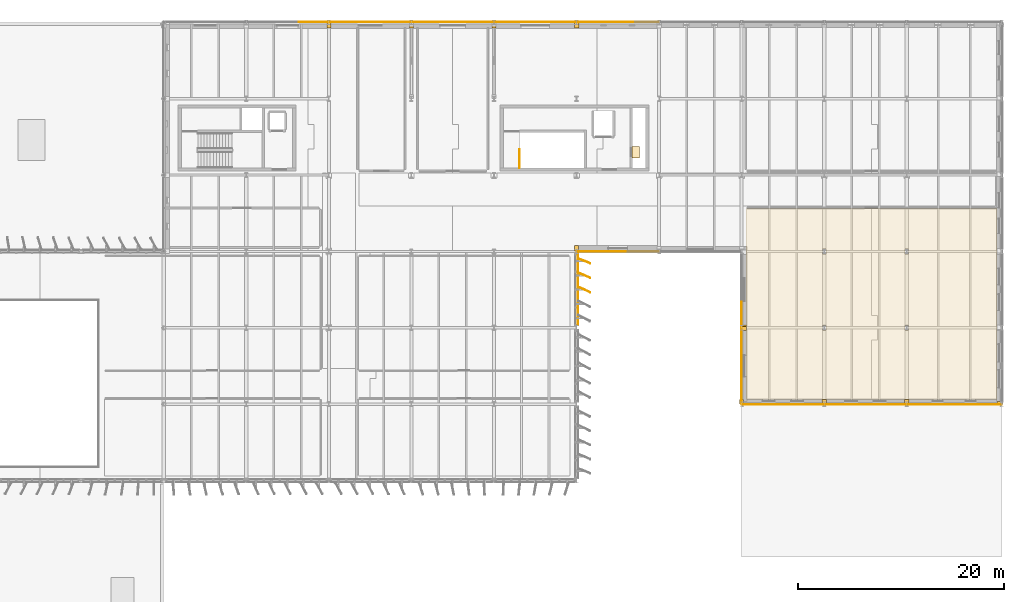
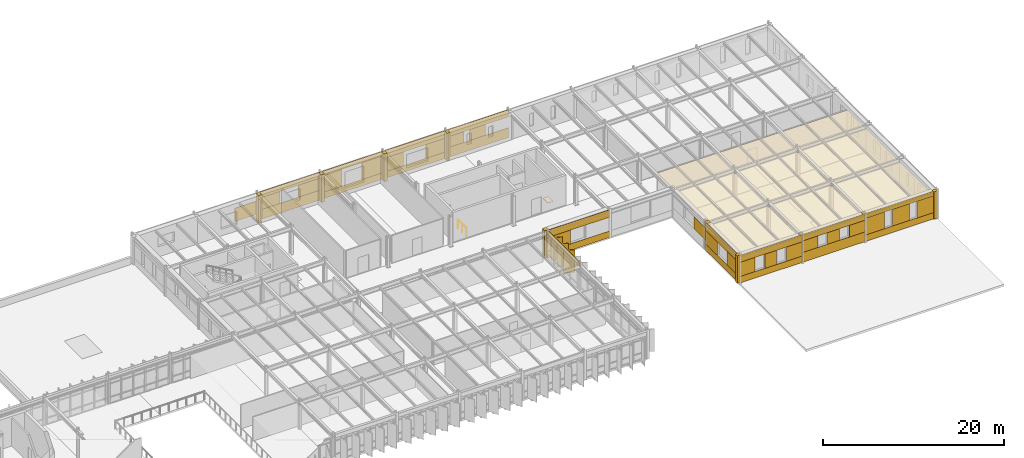
# One storey, part 53 of 56: 57 coverings, 1 railing.
"""IFC4 building model written with IfcOpenShell, lengths in metres."""

from ifc_helpers import new_model, si_unit, direction, frame, frame_2d, origin, origin_2d, place, context, subcontext, project, spatial, polyline, rectangle, circle, outline, extrude, material, layer, layer_set, type_object, element, save


model = new_model("IFC4")

# Units and contexts
model_context = context("Model", 3, precision=1e-05, world=origin(), true_north=direction((0.0, 1.0)))
body_context = subcontext(model_context, "Body", "Model", "MODEL_VIEW")
ifc_project = project(units=[si_unit("LENGTHUNIT", "METRE"), si_unit("AREAUNIT", "SQUARE_METRE"), si_unit("VOLUMEUNIT", "CUBIC_METRE"), si_unit("PLANEANGLEUNIT", "RADIAN"), si_unit("MASSUNIT", "GRAM", prefix="KILO")], contexts=[model_context])

# Site, building, storey
site_placement = place(None, origin())
site = spatial("IfcSite", under=ifc_project, at=site_placement, CompositionType="ELEMENT")
building_placement = place(site_placement, origin())
building = spatial("IfcBuilding", under=site, at=building_placement, Name="Valkorina Park Police Headquarters", CompositionType="ELEMENT")
storey_placement = place(building_placement, frame((0.0, 0.0, 14.10009765625)))
storey = spatial("IfcBuildingStorey", under=building, at=storey_placement, Name="L04", CompositionType="ELEMENT", Elevation=14.10009765625)

# Coverings
ifc_material_1 = material(Name="Acoustic mineral board")
ifc_layer_1 = layer(ifc_material_1, 0.02490234375)
ifc_layer_set_1 = layer_set([ifc_layer_1], Name="Acoustic mineral board")
covering_type_1 = type_object("IfcCoveringType", Name="COV-CEILING-ACOUST", PredefinedType="CEILING", material=ifc_layer_set_1)
covering_1_placement = place(storey_placement, frame((0.0, 0.0, 3.14501953125)))
element("IfcCovering", 1, at=covering_1_placement, inside=storey, type_object=covering_type_1, Name="Mass Spectrometry and GC-MS Instrument Lab Acoustic Suspended Ceiling", PredefinedType="CEILING", context=body_context, shape_type="SweptSolid", body=[
    extrude(outline(polyline([(161.55859375, 44.904296875), (161.5595703125, 44.912109375), (161.56005859375, 44.919921875), (161.56005859375, 63.280029296875), (161.5595703125, 63.287841796875), (161.55859375, 63.295654296875), (161.556640625, 63.30322265625), (161.553955078125, 63.310546875), (161.550537109375, 63.317626953125), (161.54638671875, 63.324462890625), (161.541748046875, 63.330810546875), (161.53662109375, 63.336669921875), (161.53076171875, 63.341796875), (161.5244140625, 63.346435546875), (161.517578125, 63.3505859375), (161.510498046875, 63.35400390625), (161.503173828125, 63.356689453125), (161.49560546875, 63.3583984375), (161.48779296875, 63.359619140625), (161.47998046875, 63.360107421875), (137.320068359375, 63.360107421875), (137.312255859375, 63.359619140625), (137.304443359375, 63.3583984375), (137.296875, 63.356689453125), (137.289306640625, 63.35400390625), (137.2822265625, 63.3505859375), (137.275634765625, 63.346435546875), (137.269287109375, 63.341796875), (137.263427734375, 63.336669921875), (137.25830078125, 63.330810546875), (137.25341796875, 63.324462890625), (137.24951171875, 63.317626953125), (137.24609375, 63.310546875), (137.243408203125, 63.30322265625), (137.241455078125, 63.295654296875), (137.240478515625, 63.287841796875), (137.239990234375, 63.280029296875), (137.239990234375, 44.919921875), (137.240478515625, 44.912109375), (137.241455078125, 44.904296875), (137.243408203125, 44.896728515625), (137.24609375, 44.889404296875), (137.24951171875, 44.88232421875), (137.25341796875, 44.87548828125), (137.25830078125, 44.869140625), (137.263427734375, 44.86328125), (137.269287109375, 44.858154296875), (137.275634765625, 44.853515625), (137.2822265625, 44.849365234375), (137.289306640625, 44.84619140625), (137.296875, 44.843505859375), (137.304443359375, 44.841552734375), (137.312255859375, 44.84033203125), (137.320068359375, 44.840087890625), (161.47998046875, 44.840087890625), (161.48779296875, 44.84033203125), (161.49560546875, 44.841552734375), (161.503173828125, 44.843505859375), (161.510498046875, 44.84619140625), (161.517578125, 44.849365234375), (161.5244140625, 44.853515625), (161.53076171875, 44.858154296875), (161.53662109375, 44.86328125), (161.541748046875, 44.869140625), (161.54638671875, 44.87548828125), (161.550537109375, 44.88232421875), (161.553955078125, 44.889404296875), (161.556640625, 44.896728515625), (161.55859375, 44.904296875)]), holes=[polyline([(152.949951171875, 59.425048828125), (152.949951171875, 58.97509765625), (152.64990234375, 58.97509765625), (152.64990234375, 59.425048828125), (152.949951171875, 59.425048828125)]), polyline([(152.949951171875, 52.02490234375), (152.949951171875, 51.574951171875), (152.64990234375, 51.574951171875), (152.64990234375, 52.02490234375), (152.949951171875, 52.02490234375)]), polyline([(144.64990234375, 52.02490234375), (144.949951171875, 52.02490234375), (144.949951171875, 51.574951171875), (144.64990234375, 51.574951171875), (144.64990234375, 52.02490234375)]), polyline([(144.949951171875, 59.425048828125), (144.949951171875, 58.97509765625), (144.64990234375, 58.97509765625), (144.64990234375, 59.425048828125), (144.949951171875, 59.425048828125)])]), origin(), (0.0, 0.0, 1.0), 0.02490234375),
])
ifc_material_2 = material(Name="Precast concrete C40/50", Category="concrete")
ifc_layer_2 = layer(ifc_material_2, 0.044921875)
ifc_layer_set_2 = layer_set([ifc_layer_2], Name="Precast concrete C40/50")
covering_type_2 = type_object("IfcCoveringType", Name="COV-CLAD-DOLOMITE", PredefinedType="CLADDING", material=ifc_layer_set_2)
covering_2_placement = place(storey_placement, frame((96.81005859375, 81.110107421875, 0.0), z_axis=(0.0, 0.0, 1.0), x_axis=(1.0, 0.0, 0.0)))
element("IfcCovering", 2, at=covering_2_placement, inside=storey, type_object=covering_type_2, Name="L04 Exterior Joint Closure Pilaster B 2252", PredefinedType="CLADDING", context=body_context, shape_type="SweptSolid", body=[
    extrude(rectangle(XDim=0.419921875, YDim=0.52197265625, at=origin_2d()), origin(), (0.0, 0.0, 1.0), 3.739990234375),
])
covering_3_placement = place(storey_placement, frame((93.875, 81.4150390625, 0.869873046875), z_axis=(0.0, 0.0, 1.0), x_axis=(1.0, 0.0, 0.0)))
element("IfcCovering", 3, at=covering_3_placement, inside=storey, type_object=covering_type_2, Name="L04 Calm Concrete Base Slot Pier 2256", PredefinedType="CLADDING", context=body_context, shape_type="SweptSolid", body=[
    extrude(rectangle(XDim=2.905029296875, YDim=0.044921875, at=frame_2d((1.45263671875, 0.0))), origin(), (0.0, 0.0, 1.0), 1.81005859375),
])
covering_4_placement = place(storey_placement, frame((104.81005859375, 81.110107421875, 0.0), z_axis=(0.0, 0.0, 1.0), x_axis=(1.0, 0.0, 0.0)))
element("IfcCovering", 4, at=covering_4_placement, inside=storey, type_object=covering_type_2, Name="L04 Exterior Joint Closure Pilaster B 2257", PredefinedType="CLADDING", context=body_context, shape_type="SweptSolid", body=[
    extrude(rectangle(XDim=0.419921875, YDim=0.52197265625, at=origin_2d()), origin(), (0.0, 0.0, 1.0), 3.739990234375),
])
covering_5_placement = place(storey_placement, frame((96.820068359375, 81.4150390625, 0.0), z_axis=(0.0, 0.0, 1.0), x_axis=(1.0, 0.0, 0.0)))
element("IfcCovering", 5, at=covering_5_placement, inside=storey, type_object=covering_type_2, Name="L04 Calm Concrete Base Sill Spandrel 2258", PredefinedType="CLADDING", context=body_context, shape_type="SweptSolid", body=[
    extrude(rectangle(XDim=7.9599609375, YDim=0.044921875, at=frame_2d((3.97998046875, 0.0))), origin(), (0.0, 0.0, 1.0), 1.31982421875),
])
covering_6_placement = place(storey_placement, frame((96.820068359375, 81.4150390625, 2.929931640625), z_axis=(0.0, 0.0, 1.0), x_axis=(1.0, 0.0, 0.0)))
element("IfcCovering", 6, at=covering_6_placement, inside=storey, type_object=covering_type_2, Name="L04 Calm Concrete Base Lintel Spandrel 2259", PredefinedType="CLADDING", context=body_context, shape_type="SweptSolid", body=[
    extrude(rectangle(XDim=7.9599609375, YDim=0.044921875, at=frame_2d((3.97998046875, 0.0))), origin(), (0.0, 0.0, 1.0), 0.81005859375),
])
for number, where, z_axis, x_axis, name in (
    (7, (96.820068359375, 81.4150390625, 1.31982421875), (0.0, 0.0, 1.0), (1.0, 0.0, 0.0), "L04 Calm Concrete Base Slot Pier 2260"),
    (8, (101.97509765625, 81.4150390625, 1.31982421875), (0.0, 0.0, 1.0), (1.0, 0.0, 0.0), "L04 Calm Concrete Base Slot Pier 2261"),
):
    element("IfcCovering", number, at=place(storey_placement, frame(where, z_axis=z_axis, x_axis=x_axis)), inside=storey, type_object=covering_type_2, Name=name, PredefinedType="CLADDING", context=body_context, shape_type="SweptSolid", body=[
        extrude(rectangle(XDim=2.804931640625, YDim=0.044921875, at=frame_2d((1.40234375, 0.0))), origin(), (0.0, 0.0, 1.0), 1.610107421875),
    ])
covering_7_placement = place(storey_placement, frame((112.81005859375, 81.110107421875, 0.0), z_axis=(0.0, 0.0, 1.0), x_axis=(1.0, 0.0, 0.0)))
element("IfcCovering", 9, at=covering_7_placement, inside=storey, type_object=covering_type_2, Name="L04 Exterior Joint Closure Pilaster B 2262", PredefinedType="CLADDING", context=body_context, shape_type="SweptSolid", body=[
    extrude(rectangle(XDim=0.419921875, YDim=0.52197265625, at=origin_2d()), origin(), (0.0, 0.0, 1.0), 3.739990234375),
])
covering_8_placement = place(storey_placement, frame((104.820068359375, 81.4150390625, 0.0), z_axis=(0.0, 0.0, 1.0), x_axis=(1.0, 0.0, 0.0)))
element("IfcCovering", 10, at=covering_8_placement, inside=storey, type_object=covering_type_2, Name="L04 Calm Concrete Base Sill Spandrel 2263", PredefinedType="CLADDING", context=body_context, shape_type="SweptSolid", body=[
    extrude(rectangle(XDim=7.9599609375, YDim=0.044921875, at=frame_2d((3.97998046875, 0.0))), origin(), (0.0, 0.0, 1.0), 0.869873046875),
])
covering_9_placement = place(storey_placement, frame((104.820068359375, 81.4150390625, 3.1298828125), z_axis=(0.0, 0.0, 1.0), x_axis=(1.0, 0.0, 0.0)))
element("IfcCovering", 11, at=covering_9_placement, inside=storey, type_object=covering_type_2, Name="L04 Calm Concrete Base Lintel Spandrel 2264", PredefinedType="CLADDING", context=body_context, shape_type="SweptSolid", body=[
    extrude(rectangle(XDim=7.9599609375, YDim=0.044921875, at=frame_2d((3.97998046875, 0.0))), origin(), (0.0, 0.0, 1.0), 0.610107421875),
])
covering_10_placement = place(storey_placement, frame((104.820068359375, 81.4150390625, 0.869873046875), z_axis=(0.0, 0.0, 1.0), x_axis=(1.0, 0.0, 0.0)))
element("IfcCovering", 12, at=covering_10_placement, inside=storey, type_object=covering_type_2, Name="L04 Calm Concrete Base Slot Pier 2265", PredefinedType="CLADDING", context=body_context, shape_type="SweptSolid", body=[
    extrude(rectangle(XDim=2.704833984375, YDim=0.044921875, at=frame_2d((1.3525390625, 0.0))), origin(), (0.0, 0.0, 1.0), 2.260009765625),
])
covering_11_placement = place(storey_placement, frame((110.074951171875, 81.4150390625, 0.869873046875), z_axis=(0.0, 0.0, 1.0), x_axis=(1.0, 0.0, 0.0)))
element("IfcCovering", 13, at=covering_11_placement, inside=storey, type_object=covering_type_2, Name="L04 Calm Concrete Base Slot Pier 2266", PredefinedType="CLADDING", context=body_context, shape_type="SweptSolid", body=[
    extrude(rectangle(XDim=2.705078125, YDim=0.044921875, at=frame_2d((1.3525390625, 0.0))), origin(), (0.0, 0.0, 1.0), 2.260009765625),
])
covering_12_placement = place(storey_placement, frame((120.81005859375, 81.110107421875, 0.0), z_axis=(0.0, 0.0, 1.0), x_axis=(1.0, 0.0, 0.0)))
element("IfcCovering", 14, at=covering_12_placement, inside=storey, type_object=covering_type_2, Name="L04 Exterior Joint Closure Pilaster B 2267", PredefinedType="CLADDING", context=body_context, shape_type="SweptSolid", body=[
    extrude(rectangle(XDim=0.419921875, YDim=0.52197265625, at=origin_2d()), origin(), (0.0, 0.0, 1.0), 3.739990234375),
])
covering_13_placement = place(storey_placement, frame((112.820068359375, 81.4150390625, 0.0), z_axis=(0.0, 0.0, 1.0), x_axis=(1.0, 0.0, 0.0)))
element("IfcCovering", 15, at=covering_13_placement, inside=storey, type_object=covering_type_2, Name="L04 Calm Concrete Base Sill Spandrel 2268", PredefinedType="CLADDING", context=body_context, shape_type="SweptSolid", body=[
    extrude(rectangle(XDim=7.9599609375, YDim=0.044921875, at=frame_2d((3.97998046875, 0.0))), origin(), (0.0, 0.0, 1.0), 0.869873046875),
])
covering_14_placement = place(storey_placement, frame((112.820068359375, 81.4150390625, 2.72998046875), z_axis=(0.0, 0.0, 1.0), x_axis=(1.0, 0.0, 0.0)))
element("IfcCovering", 16, at=covering_14_placement, inside=storey, type_object=covering_type_2, Name="L04 Calm Concrete Base Lintel Spandrel 2269", PredefinedType="CLADDING", context=body_context, shape_type="SweptSolid", body=[
    extrude(rectangle(XDim=7.9599609375, YDim=0.044921875, at=frame_2d((3.97998046875, 0.0))), origin(), (0.0, 0.0, 1.0), 1.010009765625),
])
for number, where, z_axis, x_axis, name in (
    (17, (112.820068359375, 81.4150390625, 0.869873046875), (0.0, 0.0, 1.0), (1.0, 0.0, 0.0), "L04 Calm Concrete Base Slot Pier 2270"),
    (18, (118.22509765625, 81.4150390625, 0.869873046875), (0.0, 0.0, 1.0), (1.0, 0.0, 0.0), "L04 Calm Concrete Base Slot Pier 2271"),
):
    element("IfcCovering", number, at=place(storey_placement, frame(where, z_axis=z_axis, x_axis=x_axis)), inside=storey, type_object=covering_type_2, Name=name, PredefinedType="CLADDING", context=body_context, shape_type="SweptSolid", body=[
        extrude(rectangle(XDim=2.554931640625, YDim=0.044921875, at=frame_2d((1.27734375, 0.0))), origin(), (0.0, 0.0, 1.0), 1.860107421875),
    ])
covering_15_placement = place(storey_placement, frame((120.820068359375, 81.4150390625, 0.0), z_axis=(0.0, 0.0, 1.0), x_axis=(1.0, 0.0, 0.0)))
element("IfcCovering", 19, at=covering_15_placement, inside=storey, type_object=covering_type_2, Name="L04 Calm Concrete Base Sill Spandrel 2273", PredefinedType="CLADDING", context=body_context, shape_type="SweptSolid", body=[
    extrude(rectangle(XDim=7.9599609375, YDim=0.044921875, at=frame_2d((3.97998046875, 0.0))), origin(), (0.0, 0.0, 1.0), 1.31982421875),
])
covering_16_placement = place(storey_placement, frame((120.820068359375, 81.4150390625, 2.77978515625), z_axis=(0.0, 0.0, 1.0), x_axis=(1.0, 0.0, 0.0)))
element("IfcCovering", 20, at=covering_16_placement, inside=storey, type_object=covering_type_2, Name="L04 Calm Concrete Base Lintel Spandrel 2274", PredefinedType="CLADDING", context=body_context, shape_type="SweptSolid", body=[
    extrude(rectangle(XDim=7.9599609375, YDim=0.044921875, at=frame_2d((3.97998046875, 0.0))), origin(), (0.0, 0.0, 1.0), 0.960205078125),
])
covering_17_placement = place(storey_placement, frame((120.820068359375, 81.4150390625, 1.31982421875), z_axis=(0.0, 0.0, 1.0), x_axis=(1.0, 0.0, 0.0)))
element("IfcCovering", 21, at=covering_17_placement, inside=storey, type_object=covering_type_2, Name="L04 Calm Concrete Base Slot Pier 2275", PredefinedType="CLADDING", context=body_context, shape_type="SweptSolid", body=[
    extrude(rectangle(XDim=2.2724609375, YDim=0.044921875, at=frame_2d((1.13623046875, 0.0))), origin(), (0.0, 0.0, 1.0), 1.4599609375),
])
covering_18_placement = place(storey_placement, frame((123.74267578125, 81.4150390625, 1.31982421875), z_axis=(0.0, 0.0, 1.0), x_axis=(1.0, 0.0, 0.0)))
element("IfcCovering", 22, at=covering_18_placement, inside=storey, type_object=covering_type_2, Name="L04 Calm Concrete Base Slot Pier 2276", PredefinedType="CLADDING", context=body_context, shape_type="SweptSolid", body=[
    extrude(rectangle(XDim=2.11474609375, YDim=0.044921875, at=frame_2d((1.057373046875, 0.0))), origin(), (0.0, 0.0, 1.0), 1.4599609375),
])
for number, where, z_axis, x_axis, name in (
    (23, (161.75, 44.465087890625, 0.0), (0.0, 0.0, 1.0), (0.0, 1.0, 0.0), "L04 Exterior Joint Closure Pilaster B 2329"),
    (24, (152.7900390625, 44.64990234375, 0.0), (0.0, 0.0, 1.0), (1.0, 0.0, 0.0), "L04 Exterior Joint Closure Pilaster B 2335"),
):
    element("IfcCovering", number, at=place(storey_placement, frame(where, z_axis=z_axis, x_axis=x_axis)), inside=storey, type_object=covering_type_2, Name=name, PredefinedType="CLADDING", context=body_context, shape_type="SweptSolid", body=[
        extrude(rectangle(XDim=0.419921875, YDim=0.449951171875, at=origin_2d()), origin(), (0.0, 0.0, 1.0), 3.719970703125),
    ])
covering_19_placement = place(storey_placement, frame((161.97998046875, 44.385009765625, 0.0), z_axis=(0.0, 0.0, 1.0), x_axis=(-1.0, 0.0, 0.0)))
element("IfcCovering", 25, at=covering_19_placement, inside=storey, type_object=covering_type_2, Name="L04 Calm Concrete Base Sill Spandrel 2336", PredefinedType="CLADDING", context=body_context, shape_type="SweptSolid", body=[
    extrude(rectangle(XDim=9.159912109375, YDim=0.044921875, at=frame_2d((4.580078125, 0.0))), origin(), (0.0, 0.0, 1.0), 0.869873046875),
])
covering_20_placement = place(storey_placement, frame((161.97998046875, 44.385009765625, 3.1298828125), z_axis=(0.0, 0.0, 1.0), x_axis=(-1.0, 0.0, 0.0)))
element("IfcCovering", 26, at=covering_20_placement, inside=storey, type_object=covering_type_2, Name="L04 Calm Concrete Base Lintel Spandrel 2337", PredefinedType="CLADDING", context=body_context, shape_type="SweptSolid", body=[
    extrude(rectangle(XDim=9.159912109375, YDim=0.044921875, at=frame_2d((4.580078125, 0.0))), origin(), (0.0, 0.0, 1.0), 0.590087890625),
])
covering_21_placement = place(storey_placement, frame((161.97998046875, 44.385009765625, 0.869873046875), z_axis=(0.0, 0.0, 1.0), x_axis=(-1.0, 0.0, 0.0)))
element("IfcCovering", 27, at=covering_21_placement, inside=storey, type_object=covering_type_2, Name="L04 Calm Concrete Base Slot Pier 2338", PredefinedType="CLADDING", context=body_context, shape_type="SweptSolid", body=[
    extrude(rectangle(XDim=2.45654296875, YDim=0.044921875, at=frame_2d((1.228271484375, 0.0))), origin(), (0.0, 0.0, 1.0), 2.260009765625),
])
covering_22_placement = place(storey_placement, frame((158.473388671875, 44.385009765625, 0.869873046875), z_axis=(0.0, 0.0, 1.0), x_axis=(-1.0, 0.0, 0.0)))
element("IfcCovering", 28, at=covering_22_placement, inside=storey, type_object=covering_type_2, Name="L04 Calm Concrete Base Slot Pier 2339", PredefinedType="CLADDING", context=body_context, shape_type="SweptSolid", body=[
    extrude(rectangle(XDim=2.146728515625, YDim=0.044921875, at=frame_2d((1.0732421875, 0.0))), origin(), (0.0, 0.0, 1.0), 2.260009765625),
])
covering_23_placement = place(storey_placement, frame((155.276611328125, 44.385009765625, 0.869873046875), z_axis=(0.0, 0.0, 1.0), x_axis=(-1.0, 0.0, 0.0)))
element("IfcCovering", 29, at=covering_23_placement, inside=storey, type_object=covering_type_2, Name="L04 Calm Concrete Base Slot Pier 2340", PredefinedType="CLADDING", context=body_context, shape_type="SweptSolid", body=[
    extrude(rectangle(XDim=2.45654296875, YDim=0.044921875, at=frame_2d((1.228271484375, 0.0))), origin(), (0.0, 0.0, 1.0), 2.260009765625),
])
covering_24_placement = place(storey_placement, frame((144.7900390625, 44.64990234375, 0.0), z_axis=(0.0, 0.0, 1.0), x_axis=(1.0, 0.0, 0.0)))
element("IfcCovering", 30, at=covering_24_placement, inside=storey, type_object=covering_type_2, Name="L04 Exterior Joint Closure Pilaster B 2341", PredefinedType="CLADDING", context=body_context, shape_type="SweptSolid", body=[
    extrude(rectangle(XDim=0.419921875, YDim=0.449951171875, at=origin_2d()), origin(), (0.0, 0.0, 1.0), 3.719970703125),
])
covering_25_placement = place(storey_placement, frame((152.780029296875, 44.385009765625, 0.0), z_axis=(0.0, 0.0, 1.0), x_axis=(-1.0, 0.0, 0.0)))
element("IfcCovering", 31, at=covering_25_placement, inside=storey, type_object=covering_type_2, Name="L04 Calm Concrete Base Sill Spandrel 2342", PredefinedType="CLADDING", context=body_context, shape_type="SweptSolid", body=[
    extrude(rectangle(XDim=7.9599609375, YDim=0.044921875, at=frame_2d((3.97998046875, 0.0))), origin(), (0.0, 0.0, 1.0), 1.31982421875),
])
covering_26_placement = place(storey_placement, frame((152.780029296875, 44.385009765625, 2.8798828125), z_axis=(0.0, 0.0, 1.0), x_axis=(-1.0, 0.0, 0.0)))
element("IfcCovering", 32, at=covering_26_placement, inside=storey, type_object=covering_type_2, Name="L04 Calm Concrete Base Lintel Spandrel 2343", PredefinedType="CLADDING", context=body_context, shape_type="SweptSolid", body=[
    extrude(rectangle(XDim=7.9599609375, YDim=0.044921875, at=frame_2d((3.97998046875, 0.0))), origin(), (0.0, 0.0, 1.0), 0.840087890625),
])
covering_27_placement = place(storey_placement, frame((152.780029296875, 44.385009765625, 1.31982421875), z_axis=(0.0, 0.0, 1.0), x_axis=(-1.0, 0.0, 0.0)))
element("IfcCovering", 33, at=covering_27_placement, inside=storey, type_object=covering_type_2, Name="L04 Calm Concrete Base Slot Pier 2344", PredefinedType="CLADDING", context=body_context, shape_type="SweptSolid", body=[
    extrude(rectangle(XDim=1.97265625, YDim=0.044921875, at=frame_2d((0.986328125, 0.0))), origin(), (0.0, 0.0, 1.0), 1.56005859375),
])
covering_28_placement = place(storey_placement, frame((149.557373046875, 44.385009765625, 1.31982421875), z_axis=(0.0, 0.0, 1.0), x_axis=(-1.0, 0.0, 0.0)))
element("IfcCovering", 34, at=covering_28_placement, inside=storey, type_object=covering_type_2, Name="L04 Calm Concrete Base Slot Pier 2345", PredefinedType="CLADDING", context=body_context, shape_type="SweptSolid", body=[
    extrude(rectangle(XDim=1.514892578125, YDim=0.044921875, at=frame_2d((0.75732421875, 0.0))), origin(), (0.0, 0.0, 1.0), 1.56005859375),
])
covering_29_placement = place(storey_placement, frame((146.79248046875, 44.385009765625, 1.31982421875), z_axis=(0.0, 0.0, 1.0), x_axis=(-1.0, 0.0, 0.0)))
element("IfcCovering", 35, at=covering_29_placement, inside=storey, type_object=covering_type_2, Name="L04 Calm Concrete Base Slot Pier 2346", PredefinedType="CLADDING", context=body_context, shape_type="SweptSolid", body=[
    extrude(rectangle(XDim=1.972412109375, YDim=0.044921875, at=frame_2d((0.986328125, 0.0))), origin(), (0.0, 0.0, 1.0), 1.56005859375),
])
covering_30_placement = place(storey_placement, frame((136.7900390625, 44.64990234375, 0.0), z_axis=(0.0, 0.0, 1.0), x_axis=(1.0, 0.0, 0.0)))
element("IfcCovering", 36, at=covering_30_placement, inside=storey, type_object=covering_type_2, Name="L04 Exterior Joint Closure Pilaster B 2347", PredefinedType="CLADDING", context=body_context, shape_type="SweptSolid", body=[
    extrude(rectangle(XDim=0.419921875, YDim=0.449951171875, at=origin_2d()), origin(), (0.0, 0.0, 1.0), 3.719970703125),
])
covering_31_placement = place(storey_placement, frame((144.780029296875, 44.385009765625, 0.0), z_axis=(0.0, 0.0, 1.0), x_axis=(-1.0, 0.0, 0.0)))
element("IfcCovering", 37, at=covering_31_placement, inside=storey, type_object=covering_type_2, Name="L04 Calm Concrete Base Sill Spandrel 2348", PredefinedType="CLADDING", context=body_context, shape_type="SweptSolid", body=[
    extrude(rectangle(XDim=7.9599609375, YDim=0.044921875, at=frame_2d((3.97998046875, 0.0))), origin(), (0.0, 0.0, 1.0), 0.869873046875),
])
covering_32_placement = place(storey_placement, frame((144.780029296875, 44.385009765625, 2.77978515625), z_axis=(0.0, 0.0, 1.0), x_axis=(-1.0, 0.0, 0.0)))
element("IfcCovering", 38, at=covering_32_placement, inside=storey, type_object=covering_type_2, Name="L04 Calm Concrete Base Lintel Spandrel 2349", PredefinedType="CLADDING", context=body_context, shape_type="SweptSolid", body=[
    extrude(rectangle(XDim=7.9599609375, YDim=0.044921875, at=frame_2d((3.97998046875, 0.0))), origin(), (0.0, 0.0, 1.0), 0.940185546875),
])
covering_33_placement = place(storey_placement, frame((144.780029296875, 44.385009765625, 0.869873046875), z_axis=(0.0, 0.0, 1.0), x_axis=(-1.0, 0.0, 0.0)))
element("IfcCovering", 39, at=covering_33_placement, inside=storey, type_object=covering_type_2, Name="L04 Calm Concrete Base Slot Pier 2350", PredefinedType="CLADDING", context=body_context, shape_type="SweptSolid", body=[
    extrude(rectangle(XDim=1.97265625, YDim=0.044921875, at=frame_2d((0.986328125, 0.0))), origin(), (0.0, 0.0, 1.0), 1.909912109375),
])
covering_34_placement = place(storey_placement, frame((141.557373046875, 44.385009765625, 0.869873046875), z_axis=(0.0, 0.0, 1.0), x_axis=(-1.0, 0.0, 0.0)))
element("IfcCovering", 40, at=covering_34_placement, inside=storey, type_object=covering_type_2, Name="L04 Calm Concrete Base Slot Pier 2351", PredefinedType="CLADDING", context=body_context, shape_type="SweptSolid", body=[
    extrude(rectangle(XDim=1.514892578125, YDim=0.044921875, at=frame_2d((0.75732421875, 0.0))), origin(), (0.0, 0.0, 1.0), 1.909912109375),
])
covering_35_placement = place(storey_placement, frame((138.79248046875, 44.385009765625, 0.869873046875), z_axis=(0.0, 0.0, 1.0), x_axis=(-1.0, 0.0, 0.0)))
element("IfcCovering", 41, at=covering_35_placement, inside=storey, type_object=covering_type_2, Name="L04 Calm Concrete Base Slot Pier 2352", PredefinedType="CLADDING", context=body_context, shape_type="SweptSolid", body=[
    extrude(rectangle(XDim=1.972412109375, YDim=0.044921875, at=frame_2d((0.986328125, 0.0))), origin(), (0.0, 0.0, 1.0), 1.909912109375),
])
covering_36_placement = place(storey_placement, frame((137.050048828125, 51.735107421875, 0.0), z_axis=(0.0, 0.0, 1.0), x_axis=(0.0, 1.0, 0.0)))
element("IfcCovering", 42, at=covering_36_placement, inside=storey, type_object=covering_type_2, Name="L04 Exterior Joint Closure Pilaster B 2353", PredefinedType="CLADDING", context=body_context, shape_type="SweptSolid", body=[
    extrude(rectangle(XDim=0.419921875, YDim=0.449951171875, at=origin_2d()), origin(), (0.0, 0.0, 1.0), 3.719970703125),
])
covering_37_placement = place(storey_placement, frame((136.784912109375, 44.419921875, 0.0), z_axis=(0.0, 0.0, 1.0), x_axis=(0.0, 1.0, 0.0)))
element("IfcCovering", 43, at=covering_37_placement, inside=storey, type_object=covering_type_2, Name="L04 Calm Concrete Base Sill Spandrel 2354", PredefinedType="CLADDING", context=body_context, shape_type="SweptSolid", body=[
    extrude(rectangle(XDim=7.360107421875, YDim=0.044921875, at=frame_2d((3.68017578125, 0.0))), origin(), (0.0, 0.0, 1.0), 0.869873046875),
])
covering_38_placement = place(storey_placement, frame((136.784912109375, 44.419921875, 2.679931640625), z_axis=(0.0, 0.0, 1.0), x_axis=(0.0, 1.0, 0.0)))
element("IfcCovering", 44, at=covering_38_placement, inside=storey, type_object=covering_type_2, Name="L04 Calm Concrete Base Lintel Spandrel 2355", PredefinedType="CLADDING", context=body_context, shape_type="SweptSolid", body=[
    extrude(rectangle(XDim=7.360107421875, YDim=0.044921875, at=frame_2d((3.68017578125, 0.0))), origin(), (0.0, 0.0, 1.0), 1.0400390625),
])
for number, where, z_axis, x_axis, name in (
    (45, (136.784912109375, 44.419921875, 0.869873046875), (0.0, 0.0, 1.0), (0.0, 1.0, 0.0), "L04 Calm Concrete Base Slot Pier 2356"),
    (46, (136.784912109375, 49.175048828125, 0.869873046875), (0.0, 0.0, 1.0), (0.0, 1.0, 0.0), "L04 Calm Concrete Base Slot Pier 2357"),
):
    element("IfcCovering", number, at=place(storey_placement, frame(where, z_axis=z_axis, x_axis=x_axis)), inside=storey, type_object=covering_type_2, Name=name, PredefinedType="CLADDING", context=body_context, shape_type="SweptSolid", body=[
        extrude(rectangle(XDim=2.60498046875, YDim=0.044921875, at=frame_2d((1.302490234375, 0.0))), origin(), (0.0, 0.0, 1.0), 1.81005859375),
    ])
covering_39_placement = place(storey_placement, frame((137.050048828125, 51.864990234375, 0.0), z_axis=(0.0, 0.0, 1.0), x_axis=(0.0, 1.0, 0.0)))
element("IfcCovering", 47, at=covering_39_placement, inside=storey, type_object=covering_type_2, Name="L04 Exterior Joint Closure Pilaster A 2358", PredefinedType="CLADDING", context=body_context, shape_type="SweptSolid", body=[
    extrude(rectangle(XDim=0.419921875, YDim=0.449951171875, at=origin_2d()), origin(), (0.0, 0.0, 1.0), 3.719970703125),
])
covering_40_placement = place(storey_placement, frame((136.784912109375, 51.820068359375, 1.31982421875), z_axis=(0.0, 0.0, 1.0), x_axis=(0.0, 1.0, 0.0)))
element("IfcCovering", 48, at=covering_40_placement, inside=storey, type_object=covering_type_2, Name="L04 Calm Concrete Base Slot Pier 2362", PredefinedType="CLADDING", context=body_context, shape_type="SweptSolid", body=[
    extrude(rectangle(XDim=2.5048828125, YDim=0.044921875, at=frame_2d((1.25244140625, 0.0))), origin(), (0.0, 0.0, 1.0), 1.610107421875),
])
covering_41_placement = place(storey_placement, frame((120.7900390625, 59.489990234375, 0.0), z_axis=(0.0, 0.0, 1.0), x_axis=(1.0, 0.0, 0.0)))
element("IfcCovering", 49, at=covering_41_placement, inside=storey, type_object=covering_type_2, Name="L04 Exterior Joint Closure Pilaster B 2370", PredefinedType="CLADDING", context=body_context, shape_type="SweptSolid", body=[
    extrude(rectangle(XDim=0.419921875, YDim=0.52197265625, at=origin_2d()), origin(), (0.0, 0.0, 1.0), 3.739990234375),
])
covering_42_placement = place(storey_placement, frame((128.780029296875, 59.18505859375, 0.0), z_axis=(0.0, 0.0, 1.0), x_axis=(-1.0, 0.0, 0.0)))
element("IfcCovering", 50, at=covering_42_placement, inside=storey, type_object=covering_type_2, Name="L04 Calm Concrete Base Sill Spandrel 2371", PredefinedType="CLADDING", context=body_context, shape_type="SweptSolid", body=[
    extrude(rectangle(XDim=7.9599609375, YDim=0.044921875, at=frame_2d((3.97998046875, 0.0))), origin(), (0.0, 0.0, 1.0), 0.869873046875),
])
covering_43_placement = place(storey_placement, frame((128.780029296875, 59.18505859375, 2.72998046875), z_axis=(0.0, 0.0, 1.0), x_axis=(-1.0, 0.0, 0.0)))
element("IfcCovering", 51, at=covering_43_placement, inside=storey, type_object=covering_type_2, Name="L04 Calm Concrete Base Lintel Spandrel 2372", PredefinedType="CLADDING", context=body_context, shape_type="SweptSolid", body=[
    extrude(rectangle(XDim=7.9599609375, YDim=0.044921875, at=frame_2d((3.97998046875, 0.0))), origin(), (0.0, 0.0, 1.0), 1.010009765625),
])
covering_44_placement = place(storey_placement, frame((123.824951171875, 59.18505859375, 0.869873046875), z_axis=(0.0, 0.0, 1.0), x_axis=(-1.0, 0.0, 0.0)))
element("IfcCovering", 52, at=covering_44_placement, inside=storey, type_object=covering_type_2, Name="L04 Calm Concrete Base Slot Pier 2374", PredefinedType="CLADDING", context=body_context, shape_type="SweptSolid", body=[
    extrude(rectangle(XDim=3.0048828125, YDim=0.044921875, at=frame_2d((1.50244140625, 0.0))), origin(), (0.0, 0.0, 1.0), 1.860107421875),
])
covering_45_placement = place(storey_placement, frame((120.9599609375, 58.965087890625, 3.10986328125), z_axis=(0.0, 0.0, 1.0), x_axis=(0.0, -1.0, 0.0)))
element("IfcCovering", 53, at=covering_45_placement, inside=storey, type_object=covering_type_2, Name="L04 Spandrel Beam Insulated Fascia 2375", PredefinedType="CLADDING", context=body_context, shape_type="SweptSolid", body=[
    extrude(rectangle(XDim=6.93017578125, YDim=0.044921875, at=frame_2d((3.465087890625, 0.0))), origin(), (0.0, 0.0, 1.0), 0.56005859375),
])
ifc_material_3 = material(Name="Resin terrazzo flooring")
ifc_layer_3 = layer(ifc_material_3, 0.030029296875)
ifc_layer_set_3 = layer_set([ifc_layer_3], Name="Resin terrazzo flooring")
covering_type_3 = type_object("IfcCoveringType", Name="COV-FLOOR-TERRAZZO", PredefinedType="FLOORING", material=ifc_layer_set_3)
covering_46_placement = place(storey_placement, origin())
element("IfcCovering", 54, at=covering_46_placement, inside=storey, type_object=covering_type_3, Name="Core C5 L04 Riser Inspection Threshold Grate", PredefinedType="FLOORING", context=body_context, shape_type="SweptSolid", body=[
    extrude(outline(polyline([(126.8798828125, 68.25), (126.8798828125, 69.35009765625), (126.179931640625, 69.35009765625), (126.179931640625, 68.25), (126.8798828125, 68.25)])), origin(), (0.0, 0.0, 1.0), 0.02978515625),
])

# Railing
ifc_material_4 = material(Name="Stainless steel EN 1.4404", Category="steel")
railing_type = type_object("IfcRailingType", Name="RL-GUARD-INT-1100", PredefinedType="BALUSTRADE", material=ifc_material_4)
railing_placement = place(storey_placement, frame((115.25, 67.300048828125, 0.0)))
element("IfcRailing", 55, at=railing_placement, inside=storey, type_object=railing_type, Name="L04 Core C5 Top Well Guard 1", PredefinedType="BALUSTRADE", context=body_context, shape_type="SweptSolid", body=[
    extrude(circle(Radius=0.02392578125, at=origin_2d()), frame((0.0, 0.0, 1.09619140625), z_axis=(0.0, 1.0, 0.0), x_axis=(-1.0, 0.0, 0.0)), (0.0, 0.0, 1.0), 1.800048828125),
    extrude(circle(Radius=0.02099609375, at=origin_2d()), origin(), (0.0, 0.0, 1.0), 1.072021484375),
    extrude(circle(Radius=0.02099609375, at=origin_2d()), frame((0.0, 0.89990234375, 0.0)), (0.0, 0.0, 1.0), 1.072021484375),
    extrude(circle(Radius=0.02099609375, at=origin_2d()), frame((0.0, 1.800048828125, 0.0)), (0.0, 0.0, 1.0), 1.072021484375),
])

# Coverings
ifc_material_5 = material(Name="Polychrome anodized aluminium - Baltic Amber", Category="aluminium")
ifc_layer_4 = layer(ifc_material_5, 0.06494140625)
ifc_layer_set_4 = layer_set([ifc_layer_4], Name="Polychrome anodized aluminium - Baltic Amber")
covering_type_4 = type_object("IfcCoveringType", Name="SHD-LOUVRE-AMBER", PredefinedType="CLADDING", material=ifc_layer_set_4)
covering_47_placement = place(storey_placement, frame((121.5400390625, 58.27197265625, 0.0400390625), z_axis=(0.0, 0.0, 1.0), x_axis=(0.934391133833, -0.356248802122, 0.0)))
element("IfcCovering", 56, at=covering_47_placement, inside=storey, type_object=covering_type_4, Name="V5 Polychrome Pivoting Louvre 0052", PredefinedType="CLADDING", context=body_context, shape_type="SweptSolid", body=[
    extrude(rectangle(XDim=1.280029296875, YDim=0.06494140625, at=origin_2d()), origin(), (0.0, 0.0, 1.0), 3.050048828125),
])
ifc_material_6 = material(Name="Polychrome anodized aluminium - Riga Ochre", Category="aluminium")
ifc_layer_5 = layer(ifc_material_6, 0.06494140625)
ifc_layer_set_5 = layer_set([ifc_layer_5], Name="Polychrome anodized aluminium - Riga Ochre")
covering_type_5 = type_object("IfcCoveringType", Name="SHD-LOUVRE-OCHRE", PredefinedType="CLADDING", material=ifc_layer_set_5)
covering_48_placement = place(storey_placement, frame((121.5400390625, 55.5, 0.0400390625), z_axis=(0.0, 0.0, 1.0), x_axis=(0.909453948514, -0.415804660306, 0.0)))
element("IfcCovering", 57, at=covering_48_placement, inside=storey, type_object=covering_type_5, Name="V5 Polychrome Pivoting Louvre 0054", PredefinedType="CLADDING", context=body_context, shape_type="SweptSolid", body=[
    extrude(rectangle(XDim=1.280029296875, YDim=0.06494140625, at=origin_2d()), origin(), (0.0, 0.0, 1.0), 3.050048828125),
])
ifc_material_7 = material(Name="Polychrome anodized aluminium - Pine Verdigris", Category="aluminium")
ifc_layer_6 = layer(ifc_material_7, 0.06494140625)
ifc_layer_set_6 = layer_set([ifc_layer_6], Name="Polychrome anodized aluminium - Pine Verdigris")
covering_type_6 = type_object("IfcCoveringType", Name="SHD-LOUVRE-VERDIGRIS", PredefinedType="CLADDING", material=ifc_layer_set_6)
covering_49_placement = place(storey_placement, frame((121.5400390625, 56.885986328125, 0.0400390625), z_axis=(0.0, 0.0, 1.0), x_axis=(0.921592390043, -0.388159073855, 0.0)))
element("IfcCovering", 58, at=covering_49_placement, inside=storey, type_object=covering_type_6, Name="V5 Polychrome Pivoting Louvre 0053", PredefinedType="CLADDING", context=body_context, shape_type="SweptSolid", body=[
    extrude(rectangle(XDim=1.280029296875, YDim=0.06494140625, at=origin_2d()), origin(), (0.0, 0.0, 1.0), 3.050048828125),
])

save(model, "model.ifc")
